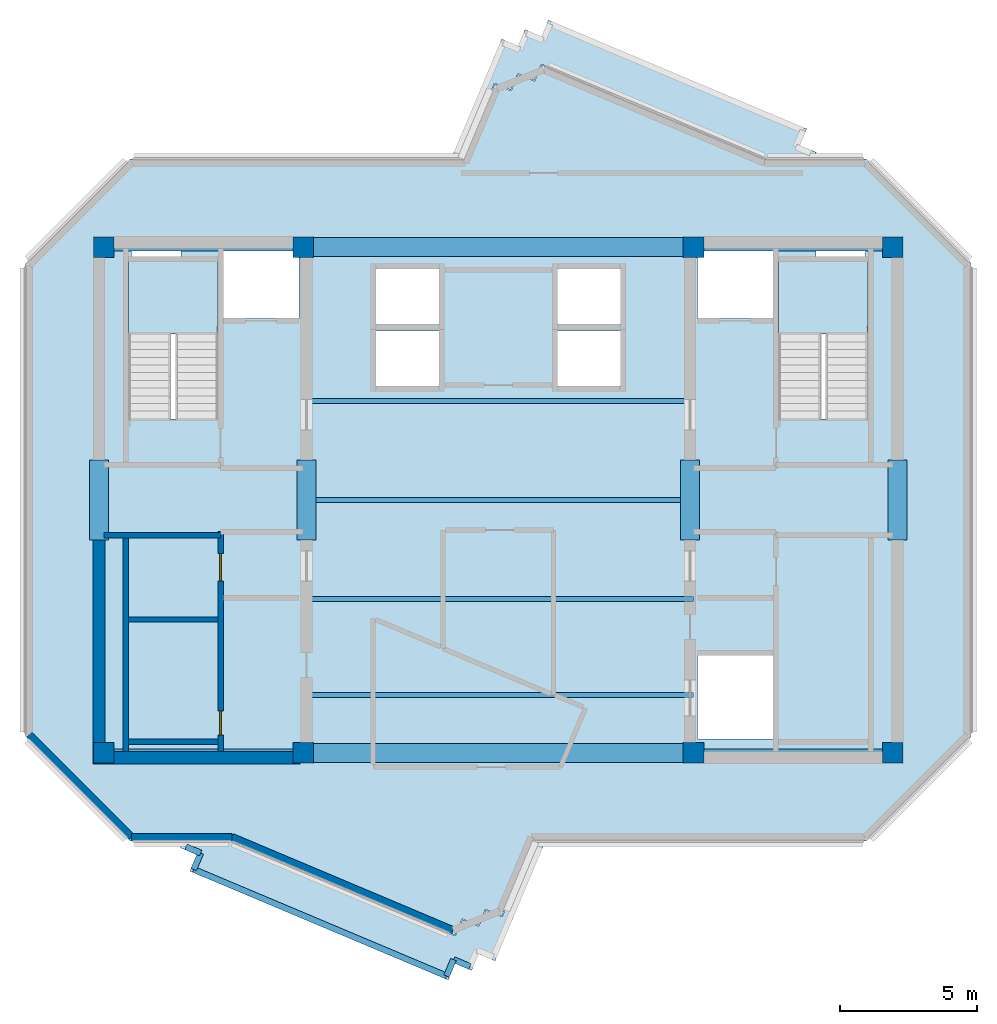
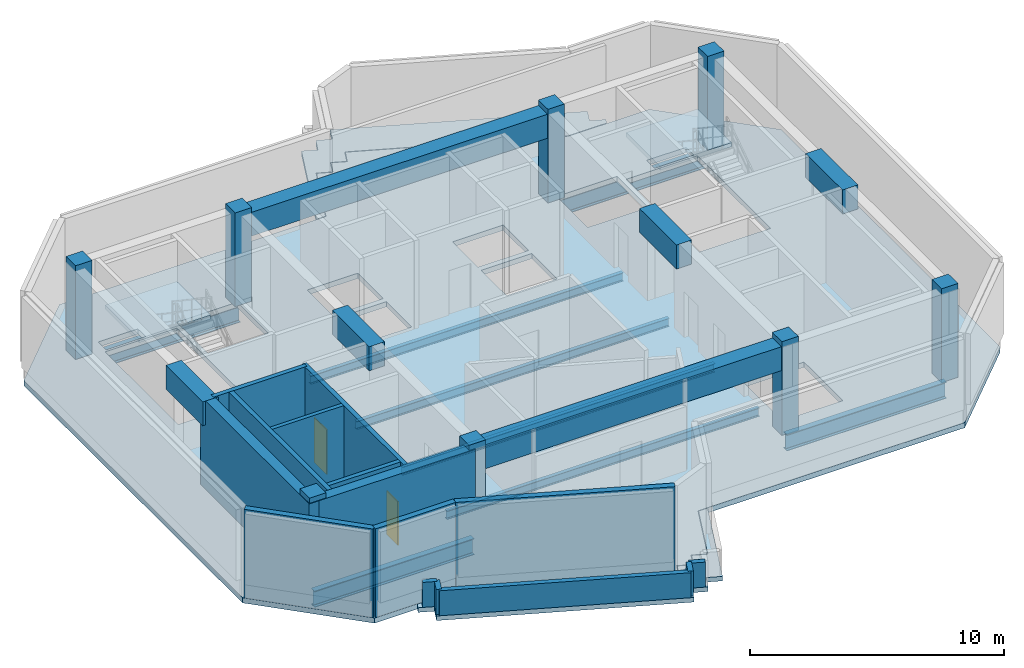
# One storey, part 1 of 6: 15 walls, 14 beams, 8 columns, 5 slabs, 2 doors, 2 openings, 2 elements without a shape of their own.
"""IFC4 building model written with IfcOpenShell, lengths in metres."""

from ifc_helpers import new_model, si_unit, direction, frame, frame_2d, origin, origin_2d, place, context, subcontext, project, spatial, polyline, rectangle, i_section, outline, extrude, source, transform, mapped, material, layer, layer_set, material_profile, profile_set, type_object, element, fill, aggregate, save


model = new_model("IFC4")

# Units and contexts
model_context = context("Model", 3, precision=1e-05, world=origin(), true_north=direction((0.0, 1.0)))
body_context = subcontext(model_context, "Body", "Model", "MODEL_VIEW")
ifc_project = project(units=[si_unit("LENGTHUNIT", "METRE"), si_unit("AREAUNIT", "SQUARE_METRE"), si_unit("VOLUMEUNIT", "CUBIC_METRE"), si_unit("PLANEANGLEUNIT", "RADIAN"), si_unit("MASSUNIT", "GRAM", prefix="KILO")], contexts=[model_context])

# Site, building, storey
site_placement = place(None, origin())
site = spatial("IfcSite", under=ifc_project, at=site_placement, CompositionType="ELEMENT")
building_placement = place(site_placement, origin())
building = spatial("IfcBuilding", under=site, at=building_placement, Name="Zahravan Cultural Tower", CompositionType="ELEMENT")
storey_placement = place(building_placement, frame((0.0, 0.0, 370.64990234375)))
storey = spatial("IfcBuildingStorey", under=building, at=storey_placement, Name="L90", CompositionType="ELEMENT", Elevation=370.64990234375)

# Columns
ifc_material_1 = material(Name="Concrete C45/55", Category="concrete")
ifc_material_profile_1 = material_profile(ifc_material_1, rectangle(XDim=0.75, YDim=0.75, at=origin_2d()), Name="RC750X750")
ifc_profile_set_1 = profile_set([ifc_material_profile_1], Name="Concrete C45/55")
column_type = type_object("IfcColumnType", Name="COL-RC750", PredefinedType="COLUMN", material=ifc_profile_set_1)
shared_shape_1 = source(origin(), body_context, "Body", "SweptSolid", [
    extrude(rectangle(XDim=0.75, YDim=0.75, at=origin_2d()), origin(), (0.0, 0.0, 1.0), 4.5),
])
for number, where, z_axis, x_axis, name in (
    (1, (21.64990234375, 17.800048828125, 0.0), (0.0, 0.0, 1.0), (1.0, 0.0, 0.0), "L90 Column CC-W1"),
    (2, (28.89990234375, 17.800048828125, 0.0), (0.0, 0.0, 1.0), (1.0, 0.0, 0.0), "L90 Column CC-W2"),
    (3, (21.64990234375, 36.199951171875, 0.0), (0.0, 0.0, 1.0), (1.0, 0.0, 0.0), "L90 Column CC-W3"),
    (4, (28.89990234375, 36.199951171875, 0.0), (0.0, 0.0, 1.0), (1.0, 0.0, 0.0), "L90 Column CC-W4"),
    (5, (43.10009765625, 17.800048828125, 0.0), (0.0, 0.0, 1.0), (1.0, 0.0, 0.0), "L90 Column CC-E1"),
    (6, (50.35009765625, 17.800048828125, 0.0), (0.0, 0.0, 1.0), (1.0, 0.0, 0.0), "L90 Column CC-E2"),
    (7, (43.10009765625, 36.199951171875, 0.0), (0.0, 0.0, 1.0), (1.0, 0.0, 0.0), "L90 Column CC-E3"),
    (8, (50.35009765625, 36.199951171875, 0.0), (0.0, 0.0, 1.0), (1.0, 0.0, 0.0), "L90 Column CC-E4"),
):
    element("IfcColumn", number, at=place(storey_placement, frame(where, z_axis=z_axis, x_axis=x_axis)), inside=storey, type_object=column_type, Name=name, PredefinedType="COLUMN", context=body_context, shape_type="MappedRepresentation", body=[
        mapped(shared_shape_1, transform((0.0, 0.0, 0.0), x_axis=(1.0, 0.0, 0.0), y_axis=(0.0, 1.0, 0.0), z_axis=(0.0, 0.0, 1.0), scale=1.0)),
    ])

# Beams
ifc_material_2 = material(Name="Concrete C50/60", Category="concrete")
ifc_material_profile_2 = material_profile(ifc_material_2, rectangle(XDim=0.699951171875, YDim=1.14990234375, at=origin_2d()), Name="RC700X1150")
ifc_profile_set_2 = profile_set([ifc_material_profile_2], Name="Concrete C50/60")
beam_type_1 = type_object("IfcBeamType", Name="BM-LN-RC700X1150", PredefinedType="LINTEL", material=ifc_profile_set_2)
shared_shape_2 = source(origin(), body_context, "Body", "SweptSolid", [
    extrude(rectangle(XDim=0.699951171875, YDim=1.14990234375, at=origin_2d()), origin(), (0.0, 0.0, 1.0), 14.2001953125),
])
for number, where, z_axis, x_axis, name in (
    (9, (28.89990234375, 17.800048828125, 3.675048828125), (1.0, 0.0, 0.0), (0.0, 1.0, 0.0), "L90 Beam LN-L90-S"),
    (10, (28.89990234375, 36.199951171875, 3.675048828125), (1.0, 0.0, 0.0), (0.0, 1.0, 0.0), "L90 Beam LN-L90-N"),
):
    element("IfcBeam", number, at=place(storey_placement, frame(where, z_axis=z_axis, x_axis=x_axis)), inside=storey, type_object=beam_type_1, Name=name, PredefinedType="LINTEL", context=body_context, shape_type="MappedRepresentation", body=[
        mapped(shared_shape_2, transform((0.0, 0.0, 0.0), x_axis=(1.0, 0.0, 0.0), y_axis=(0.0, 1.0, 0.0), z_axis=(0.0, 0.0, 1.0), scale=1.0)),
    ])
shared_shape_3 = source(origin(), body_context, "Body", "SweptSolid", [
    extrude(rectangle(XDim=0.699951171875, YDim=1.14990234375, at=origin_2d()), origin(), (0.0, 0.0, 1.0), 2.89990234375),
])
for number, where, z_axis, x_axis, name in (
    (11, (21.47509765625, 25.550048828125, 3.675048828125), (0.0, 1.0, 0.0), (-1.0, 0.0, 0.0), "L90 Beam LN-L90-PWW"),
    (12, (29.02490234375, 25.550048828125, 3.675048828125), (0.0, 1.0, 0.0), (-1.0, 0.0, 0.0), "L90 Beam LN-L90-PWE"),
    (13, (42.97509765625, 25.550048828125, 3.675048828125), (0.0, 1.0, 0.0), (-1.0, 0.0, 0.0), "L90 Beam LN-L90-PEW"),
    (14, (50.52490234375, 25.550048828125, 3.675048828125), (0.0, 1.0, 0.0), (-1.0, 0.0, 0.0), "L90 Beam LN-L90-PEE"),
):
    element("IfcBeam", number, at=place(storey_placement, frame(where, z_axis=z_axis, x_axis=x_axis)), inside=storey, type_object=beam_type_1, Name=name, PredefinedType="LINTEL", context=body_context, shape_type="MappedRepresentation", body=[
        mapped(shared_shape_3, transform((0.0, 0.0, 0.0), x_axis=(1.0, 0.0, 0.0), y_axis=(0.0, 1.0, 0.0), z_axis=(0.0, 0.0, 1.0), scale=1.0)),
    ])
ifc_material_3 = material(Name="Steel ASTM A992 Grade 50", Category="steel")
ifc_material_profile_3 = material_profile(ifc_material_3, i_section(OverallWidth=0.26611328125, OverallDepth=0.780029296875, WebThickness=0.0166015625, FlangeThickness=0.030029296875, FilletRadius=0.01904296875, at=origin_2d()), Name="W30X148")
ifc_profile_set_3 = profile_set([ifc_material_profile_3], Name="Steel ASTM A992 Grade 50")
beam_type_2 = type_object("IfcBeamType", Name="BM-G-W30X148", PredefinedType="BEAM", material=ifc_profile_set_3)
shared_shape_4 = source(origin(), body_context, "Body", "SweptSolid", [
    extrude(i_section(OverallWidth=0.26611328125, OverallDepth=0.780029296875, WebThickness=0.0166015625, FlangeThickness=0.030029296875, FilletRadius=0.01904296875, at=origin_2d()), origin(), (0.0, 0.0, 1.0), 7.25),
])
for number, where, z_axis, x_axis, name in (
    (15, (21.64990234375, 17.800048828125, -0.639892578125), (1.0, 0.0, 0.0), (0.0, 1.0, 0.0), "L90 Beam BG-L90-01"),
    (16, (21.64990234375, 36.199951171875, -0.639892578125), (1.0, 0.0, 0.0), (0.0, 1.0, 0.0), "L90 Beam BG-L90-02"),
    (17, (43.10009765625, 17.800048828125, -0.639892578125), (1.0, 0.0, 0.0), (0.0, 1.0, 0.0), "L90 Beam BG-L90-04"),
    (18, (43.10009765625, 36.199951171875, -0.639892578125), (1.0, 0.0, 0.0), (0.0, 1.0, 0.0), "L90 Beam BG-L90-05"),
):
    element("IfcBeam", number, at=place(storey_placement, frame(where, z_axis=z_axis, x_axis=x_axis)), inside=storey, type_object=beam_type_2, Name=name, PredefinedType="BEAM", context=body_context, shape_type="MappedRepresentation", body=[
        mapped(shared_shape_4, transform((0.0, 0.0, 0.0), x_axis=(1.0, 0.0, 0.0), y_axis=(0.0, 1.0, 0.0), z_axis=(0.0, 0.0, 1.0), scale=1.0)),
    ])
ifc_material_profile_4 = material_profile(ifc_material_3, i_section(OverallWidth=0.177978515625, OverallDepth=0.406005859375, WebThickness=0.0078125, FlangeThickness=0.0126953125, FilletRadius=0.011962890625, at=origin_2d()), Name="W16X40")
ifc_profile_set_4 = profile_set([ifc_material_profile_4], Name="Steel ASTM A992 Grade 50")
beam_type_3 = type_object("IfcBeamType", Name="BM-J-W16X40", PredefinedType="JOIST", material=ifc_profile_set_4)
shared_shape_5 = source(origin(), body_context, "Body", "SweptSolid", [
    extrude(i_section(OverallWidth=0.177978515625, OverallDepth=0.406005859375, WebThickness=0.0078125, FlangeThickness=0.0126953125, FilletRadius=0.011962890625, at=origin_2d()), origin(), (0.0, 0.0, 1.0), 14.2001953125),
])
for number, where, z_axis, x_axis, name in (
    (19, (28.89990234375, 19.89990234375, -0.452880859375), (1.0, 0.0, 0.0), (0.0, 1.0, 0.0), "L90 Beam BJ-L90-07"),
    (20, (28.89990234375, 23.39990234375, -0.452880859375), (1.0, 0.0, 0.0), (0.0, 1.0, 0.0), "L90 Beam BJ-L90-08"),
    (21, (28.89990234375, 27.0, -0.452880859375), (1.0, 0.0, 0.0), (0.0, 1.0, 0.0), "L90 Beam BJ-L90-09"),
    (22, (28.89990234375, 30.60009765625, -0.452880859375), (1.0, 0.0, 0.0), (0.0, 1.0, 0.0), "L90 Beam BJ-L90-10"),
):
    element("IfcBeam", number, at=place(storey_placement, frame(where, z_axis=z_axis, x_axis=x_axis)), inside=storey, type_object=beam_type_3, Name=name, PredefinedType="JOIST", context=body_context, shape_type="MappedRepresentation", body=[
        mapped(shared_shape_5, transform((0.0, 0.0, 0.0), x_axis=(1.0, 0.0, 0.0), y_axis=(0.0, 1.0, 0.0), z_axis=(0.0, 0.0, 1.0), scale=1.0)),
    ])

# Slabs
ifc_material_4 = material(Name="Precast concrete C40/50", Category="concrete")
ifc_layer_1 = layer(ifc_material_4, 0.219970703125)
ifc_layer_set_1 = layer_set([ifc_layer_1], Name="Precast concrete C40/50")
slab_type_1 = type_object("IfcSlabType", Name="SL-ROOF-220", PredefinedType="ROOF", material=ifc_layer_set_1)
slab_1_placement = place(storey_placement, frame((0.0, 0.0, -0.219970703125)))
element("IfcSlab", 23, at=slab_1_placement, inside=storey, type_object=slab_type_1, Name="L90 Setback Roof Slab 1", PredefinedType="ROOF", context=body_context, shape_type="SweptSolid", body=[
    extrude(outline(polyline([(35.27978515625, 10.4833984375), (35.87890625, 10.231201171875), (37.71142578125, 14.580078125), (37.299072265625, 14.580078125), (36.1455078125, 11.8466796875), (36.123779296875, 11.842529296875), (35.543212890625, 12.087158203125), (35.292724609375, 11.498779296875), (35.272216796875, 11.495849609375), (34.69189453125, 11.740478515625), (34.447021484375, 11.159912109375), (34.4287109375, 11.147705078125), (26.279541015625, 14.580078125), (24.52685546875, 14.580078125), (24.429931640625, 14.35009765625), (25.02880859375, 14.097900390625), (24.7763671875, 13.498779296875), (34.176025390625, 9.5380859375), (34.428466796875, 10.136962890625), (35.02734375, 9.884521484375), (35.27978515625, 10.4833984375)])), origin(), (0.0, 0.0, 1.0), 0.219970703125),
])
slab_2_placement = place(storey_placement, frame((0.0, 0.0, -0.219970703125)))
element("IfcSlab", 24, at=slab_2_placement, inside=storey, type_object=slab_type_1, Name="L90 Setback Roof Slab 2", PredefinedType="ROOF", context=body_context, shape_type="SweptSolid", body=[
    extrude(outline(polyline([(36.72021484375, 43.5166015625), (36.12109375, 43.768798828125), (34.28857421875, 39.419921875), (34.700927734375, 39.419921875), (35.8544921875, 42.1533203125), (35.876220703125, 42.157470703125), (36.456787109375, 41.912841796875), (36.707275390625, 42.501220703125), (36.727783203125, 42.504150390625), (37.30810546875, 42.259521484375), (37.552978515625, 42.840087890625), (37.5712890625, 42.852294921875), (45.720458984375, 39.419921875), (47.47314453125, 39.419921875), (47.570068359375, 39.64990234375), (46.97119140625, 39.902099609375), (47.2236328125, 40.501220703125), (37.823974609375, 44.4619140625), (37.571533203125, 43.863037109375), (36.97265625, 44.115478515625), (36.72021484375, 43.5166015625)])), origin(), (0.0, 0.0, 1.0), 0.219970703125),
])

# Stair, slab
stair_type = type_object("IfcStairType", Name="STR-DL-1550-450", PredefinedType="HALF_TURN_STAIR", material=ifc_material_1)
stair_1_placement = place(storey_placement, origin())
stair_1 = element("IfcStair", 25, at=stair_1_placement, inside=storey, type_object=stair_type, Name="L90 West Core North Exit Stair ST-W1", PredefinedType="HALF_TURN_STAIR")
ifc_layer_2 = layer(ifc_material_1, 0.199951171875)
ifc_layer_set_2 = layer_set([ifc_layer_2], Name="Concrete C45/55")
slab_type_2 = type_object("IfcSlabType", Name="SL-STAIR-LND200", PredefinedType="LANDING", material=ifc_layer_set_2)
slab_3_placement = place(storey_placement, frame((0.0, 0.0, 2.050048828125)))
slab_3 = element("IfcSlab", 26, at=slab_3_placement, type_object=slab_type_2, Name="ST-W1 landing 1", PredefinedType="LANDING", context=body_context, shape_type="SweptSolid", body=[
    extrude(outline(polyline([(25.800048828125, 33.030029296875), (25.800048828125, 35.699951171875), (22.550048828125, 35.699951171875), (22.550048828125, 33.030029296875), (25.800048828125, 33.030029296875)])), origin(), (0.0, 0.0, 1.0), 0.199951171875),
])
aggregate(stair_1, [slab_3])

stair_2_placement = place(storey_placement, origin())
stair_2 = element("IfcStair", 27, at=stair_2_placement, inside=storey, type_object=stair_type, Name="L90 East Core North Exit Stair ST-E1", PredefinedType="HALF_TURN_STAIR")
slab_4_placement = place(storey_placement, frame((0.0, 0.0, 2.050048828125)))
slab_4 = element("IfcSlab", 28, at=slab_4_placement, type_object=slab_type_2, Name="ST-E1 landing 1", PredefinedType="LANDING", context=body_context, shape_type="SweptSolid", body=[
    extrude(outline(polyline([(49.449951171875, 33.030029296875), (49.449951171875, 35.699951171875), (46.199951171875, 35.699951171875), (46.199951171875, 33.030029296875), (49.449951171875, 33.030029296875)])), origin(), (0.0, 0.0, 1.0), 0.199951171875),
])
aggregate(stair_2, [slab_4])

# Slab
ifc_material_5 = material(Name="Concrete C40/50", Category="concrete")
ifc_layer_3 = layer(ifc_material_5, 0.25)
ifc_layer_set_3 = layer_set([ifc_layer_3], Name="Concrete C40/50")
slab_type_3 = type_object("IfcSlabType", Name="SL-TYP-250", PredefinedType="FLOOR", material=ifc_layer_set_3)
slab_5_placement = place(storey_placement, frame((0.0, 0.0, -0.25)))
element("IfcSlab", 29, at=slab_5_placement, inside=storey, type_object=slab_type_3, Name="L90 Structural Floor Slab", PredefinedType="FLOOR", context=body_context, shape_type="SweptSolid", body=[
    extrude(outline(polyline([(34.71435546875, 39.39990234375), (22.60009765625, 39.39990234375), (18.800048828125, 35.60009765625), (18.800048828125, 18.39990234375), (22.60009765625, 14.60009765625), (26.283447265625, 14.60009765625), (34.4287109375, 11.167724609375), (34.68115234375, 11.7666015625), (35.280029296875, 11.514404296875), (35.532470703125, 12.11328125), (36.131591796875, 11.86083984375), (37.28564453125, 14.60009765625), (49.39990234375, 14.60009765625), (53.199951171875, 18.39990234375), (53.199951171875, 35.60009765625), (49.39990234375, 39.39990234375), (45.716552734375, 39.39990234375), (37.5712890625, 42.832275390625), (37.31884765625, 42.2333984375), (36.719970703125, 42.485595703125), (36.467529296875, 41.88671875), (35.868408203125, 42.13916015625), (34.71435546875, 39.39990234375)]), holes=[polyline([(22.550048828125, 29.949951171875), (22.550048828125, 35.699951171875), (25.800048828125, 35.699951171875), (25.800048828125, 29.949951171875), (22.550048828125, 29.949951171875)]), polyline([(46.199951171875, 29.949951171875), (46.199951171875, 35.699951171875), (49.449951171875, 35.699951171875), (49.449951171875, 29.949951171875), (46.199951171875, 29.949951171875)]), polyline([(26.0, 33.60009765625), (26.0, 36.050048828125), (28.75, 36.050048828125), (28.75, 33.60009765625), (26.0, 33.60009765625)]), polyline([(43.25, 33.60009765625), (43.25, 36.050048828125), (46.0, 36.050048828125), (46.0, 33.60009765625), (43.25, 33.60009765625)]), polyline([(43.25, 18.300048828125), (43.25, 21.35009765625), (46.0, 21.35009765625), (46.0, 18.300048828125), (43.25, 18.300048828125)]), polyline([(31.550048828125, 33.39990234375), (31.550048828125, 35.39990234375), (33.85009765625, 35.39990234375), (33.85009765625, 33.39990234375), (31.550048828125, 33.39990234375)]), polyline([(31.550048828125, 31.14990234375), (31.550048828125, 33.14990234375), (33.85009765625, 33.14990234375), (33.85009765625, 31.14990234375), (31.550048828125, 31.14990234375)]), polyline([(38.14990234375, 33.39990234375), (38.14990234375, 35.39990234375), (40.449951171875, 35.39990234375), (40.449951171875, 33.39990234375), (38.14990234375, 33.39990234375)]), polyline([(38.14990234375, 31.14990234375), (38.14990234375, 33.14990234375), (40.449951171875, 33.14990234375), (40.449951171875, 31.14990234375), (38.14990234375, 31.14990234375)]), polyline([(22.64990234375, 35.800048828125), (22.64990234375, 36.419921875), (24.449951171875, 36.419921875), (24.449951171875, 35.800048828125), (22.64990234375, 35.800048828125)]), polyline([(47.550048828125, 35.800048828125), (47.550048828125, 36.419921875), (49.35009765625, 36.419921875), (49.35009765625, 35.800048828125), (47.550048828125, 35.800048828125)])]), origin(), (0.0, 0.0, 1.0), 0.25),
])

# Wall, openings, doors
ifc_layer_4 = layer(ifc_material_1, 0.199951171875)
ifc_layer_set_4 = layer_set([ifc_layer_4], Name="Concrete C45/55")
wall_type_1 = type_object("IfcWallType", Name="W-SHAFT-200", PredefinedType="SOLIDWALL", material=ifc_layer_set_4)
wall_1_placement = place(storey_placement, frame((25.89990234375, 17.85009765625, 0.0), z_axis=(0.0, 0.0, 1.0), x_axis=(0.0, 1.0, 0.0)))
wall_1 = element("IfcWall", 30, at=wall_1_placement, inside=storey, type_object=wall_type_1, Name="L90 Interior Wall 005", PredefinedType="SOLIDWALL", context=body_context, shape_type="SweptSolid", body=[
    extrude(rectangle(XDim=8.0, YDim=0.199951171875, at=frame_2d((4.0, 0.0))), origin(), (0.0, 0.0, 1.0), 4.25),
])
opening_1_placement = place(wall_1_placement, frame((6.199951171875, 0.0, 0.0)))
opening_1 = element("IfcOpeningElement", 31, at=opening_1_placement, cuts=wall_1, Name="Opening D-L90-04", PredefinedType="OPENING", context=body_context, shape_type="SweptSolid", body=[
    extrude(rectangle(XDim=1.0, YDim=2.14990234375, at=frame_2d((0.5, 1.074951171875))), frame((0.0, 0.10986328125, 0.0), z_axis=(0.0, -1.0, 0.0), x_axis=(1.0, 0.0, 0.0)), (0.0, 0.0, 1.0), 0.219970703125),
])
opening_2_placement = place(wall_1_placement, frame((0.60009765625, 0.0, 0.0)))
opening_2 = element("IfcOpeningElement", 32, at=opening_2_placement, cuts=wall_1, Name="Opening D-L90-05", PredefinedType="OPENING", context=body_context, shape_type="SweptSolid", body=[
    extrude(rectangle(XDim=0.8798828125, YDim=2.10009765625, at=frame_2d((0.43994140625, 1.050048828125))), frame((0.0, 0.10986328125, 0.0), z_axis=(0.0, -1.0, 0.0), x_axis=(1.0, 0.0, 0.0)), (0.0, 0.0, 1.0), 0.219970703125),
])
ifc_material_6 = material(Name="Steel ASTM A572 Grade 50", Category="steel")
door_type_1 = type_object("IfcDoorType", Name="DR-SVC-880", OperationType="NOTDEFINED", PredefinedType="DOOR", material=ifc_material_6)
shared_shape_6 = source(origin(), body_context, "Body", "SweptSolid", [
    extrude(rectangle(XDim=0.8798828125, YDim=2.10009765625, at=frame_2d((0.43994140625, 1.050048828125))), frame((0.0, 0.02490234375, 0.0), z_axis=(0.0, -1.0, 0.0), x_axis=(1.0, 0.0, 0.0)), (0.0, 0.0, 1.0), 0.050048828125),
])
door_1_placement = place(opening_2_placement, origin())
door_1 = element("IfcDoor", 33, at=door_1_placement, inside=storey, type_object=door_type_1, Name="L90 Door D-L90-05", OperationType="SINGLE_SWING_LEFT", OverallHeight=2.10009765625, OverallWidth=0.8798828125, PredefinedType="DOOR", context=body_context, shape_type="MappedRepresentation", body=[
    mapped(shared_shape_6, transform((0.0, 0.0, 0.0), x_axis=(1.0, 0.0, 0.0), y_axis=(0.0, 1.0, 0.0), z_axis=(0.0, 0.0, 1.0), scale=1.0)),
])
fill(opening_2, door_1)
door_type_2 = type_object("IfcDoorType", Name="DR-COMP-1000", OperationType="NOTDEFINED", PredefinedType="DOOR", material=ifc_material_6)
shared_shape_7 = source(origin(), body_context, "Body", "SweptSolid", [
    extrude(rectangle(XDim=1.0, YDim=2.14990234375, at=frame_2d((0.5, 1.074951171875))), frame((0.0, 0.02490234375, 0.0), z_axis=(0.0, -1.0, 0.0), x_axis=(1.0, 0.0, 0.0)), (0.0, 0.0, 1.0), 0.050048828125),
])
door_2_placement = place(opening_1_placement, origin())
door_2 = element("IfcDoor", 34, at=door_2_placement, inside=storey, type_object=door_type_2, Name="L90 Door D-L90-04", OperationType="SINGLE_SWING_RIGHT", OverallHeight=2.14990234375, OverallWidth=1.0, PredefinedType="DOOR", context=body_context, shape_type="MappedRepresentation", body=[
    mapped(shared_shape_7, transform((0.0, 0.0, 0.0), x_axis=(1.0, 0.0, 0.0), y_axis=(0.0, 1.0, 0.0), z_axis=(0.0, 0.0, 1.0), scale=1.0)),
])
fill(opening_1, door_2)

# Walls
ifc_layer_5 = layer(ifc_material_2, 0.449951171875)
ifc_layer_set_5 = layer_set([ifc_layer_5], Name="Concrete C50/60")
wall_type_2 = type_object("IfcWallType", Name="CW-SHEAR-450-C50", PredefinedType="SHEAR", material=ifc_layer_set_5)
shared_shape_8 = source(origin(), body_context, "Body", "SweptSolid", [
    extrude(rectangle(XDim=8.550048828125, YDim=0.449951171875, at=frame_2d((4.27490234375, 0.0))), origin(), (0.0, 0.0, 1.0), 4.25),
])
wall_2_placement = place(storey_placement, frame((21.47509765625, 17.39990234375, 0.0), z_axis=(0.0, 0.0, 1.0), x_axis=(0.0, 1.0, 0.0)))
element("IfcWall", 35, at=wall_2_placement, inside=storey, type_object=wall_type_2, Name="L90 Core Shear Wall CW-W-WS-L90", PredefinedType="SHEAR", context=body_context, shape_type="MappedRepresentation", body=[
    mapped(shared_shape_8, transform((0.0, 0.0, 0.0), x_axis=(1.0, 0.0, 0.0), y_axis=(0.0, 1.0, 0.0), z_axis=(0.0, 0.0, 1.0), scale=1.0)),
])
shared_shape_9 = source(origin(), body_context, "Body", "SweptSolid", [
    extrude(rectangle(XDim=7.10009765625, YDim=0.449951171875, at=frame_2d((3.550048828125, 0.0))), origin(), (0.0, 0.0, 1.0), 4.25),
])
wall_3_placement = place(storey_placement, frame((21.699951171875, 17.625, 0.0), z_axis=(0.0, 0.0, 1.0), x_axis=(1.0, 0.0, 0.0)))
element("IfcWall", 36, at=wall_3_placement, inside=storey, type_object=wall_type_2, Name="L90 Core Shear Wall CW-W-S-L90", PredefinedType="SHEAR", context=body_context, shape_type="MappedRepresentation", body=[
    mapped(shared_shape_9, transform((0.0, 0.0, 0.0), x_axis=(1.0, 0.0, 0.0), y_axis=(0.0, 1.0, 0.0), z_axis=(0.0, 0.0, 1.0), scale=1.0)),
])
ifc_layer_6 = layer(ifc_material_4, 0.219970703125)
ifc_layer_set_6 = layer_set([ifc_layer_6], Name="Precast concrete C40/50")
wall_type_3 = type_object("IfcWallType", Name="EW-PARAPET-220", PredefinedType="PARAPET", material=ifc_layer_set_6)
shared_shape_10 = source(origin(), body_context, "Body", "SweptSolid", [
    extrude(rectangle(XDim=0.650146484375, YDim=0.219970703125, at=frame_2d((0.3251953125, 0.0))), origin(), (0.0, 0.0, 1.0), 1.2001953125),
])
wall_4_placement = place(storey_placement, frame((24.92041015625, 13.557373046875, 0.0), z_axis=(0.0, 0.0, 1.0), x_axis=(0.388610857807, 0.921401975901, 0.0)))
element("IfcWall", 37, at=wall_4_placement, inside=storey, type_object=wall_type_3, Name="L90 Setback Roof Parapet 5", PredefinedType="PARAPET", context=body_context, shape_type="MappedRepresentation", body=[
    mapped(shared_shape_10, transform((0.0, 0.0, 0.0), x_axis=(1.0, 0.0, 0.0), y_axis=(0.0, 1.0, 0.0), z_axis=(0.0, 0.0, 1.0), scale=1.0)),
])
shared_shape_11 = source(origin(), body_context, "Body", "SweptSolid", [
    extrude(rectangle(XDim=0.64990234375, YDim=0.219970703125, at=frame_2d((0.324951171875, 0.0))), origin(), (0.0, 0.0, 1.0), 1.2001953125),
])
for number, where, z_axis, x_axis, name in (
    (38, (34.96875, 10.028564453125, 0.0), (0.0, 0.0, 1.0), (-0.921479736051, 0.388426435824, 0.0), "L90 Setback Roof Parapet 2"),
    (39, (34.369873046875, 10.281005859375, 0.0), (0.0, 0.0, 1.0), (-0.388426435824, -0.921479736051, 0.0), "L90 Setback Roof Parapet 3"),
):
    element("IfcWall", number, at=place(storey_placement, frame(where, z_axis=z_axis, x_axis=x_axis)), inside=storey, type_object=wall_type_3, Name=name, PredefinedType="PARAPET", context=body_context, shape_type="MappedRepresentation", body=[
        mapped(shared_shape_11, transform((0.0, 0.0, 0.0), x_axis=(1.0, 0.0, 0.0), y_axis=(0.0, 1.0, 0.0), z_axis=(0.0, 0.0, 1.0), scale=1.0)),
    ])
shared_shape_12 = source(origin(), body_context, "Body", "SweptSolid", [
    extrude(rectangle(XDim=9.980224609375, YDim=0.219970703125, at=frame_2d((4.990234375, 0.0))), origin(), (0.0, 0.0, 1.0), 1.2001953125),
])
wall_5_placement = place(storey_placement, frame((34.117431640625, 9.68212890625, 0.0), z_axis=(0.0, 0.0, 1.0), x_axis=(-0.921534500121, 0.388296491211, 0.0)))
element("IfcWall", 40, at=wall_5_placement, inside=storey, type_object=wall_type_3, Name="L90 Setback Roof Parapet 4", PredefinedType="PARAPET", context=body_context, shape_type="MappedRepresentation", body=[
    mapped(shared_shape_12, transform((0.0, 0.0, 0.0), x_axis=(1.0, 0.0, 0.0), y_axis=(0.0, 1.0, 0.0), z_axis=(0.0, 0.0, 1.0), scale=1.0)),
])
shared_shape_13 = source(origin(), body_context, "Body", "SweptSolid", [
    extrude(rectangle(XDim=0.57568359375, YDim=0.219970703125, at=frame_2d((0.287841796875, 0.0))), origin(), (0.0, 0.0, 1.0), 1.2001953125),
])
wall_6_placement = place(storey_placement, frame((25.173095703125, 14.156494140625, 0.0), z_axis=(0.0, 0.0, 1.0), x_axis=(-0.921627391381, 0.388075960936, 0.0)))
element("IfcWall", 41, at=wall_6_placement, inside=storey, type_object=wall_type_3, Name="L90 Setback Roof Parapet 6", PredefinedType="PARAPET", context=body_context, shape_type="MappedRepresentation", body=[
    mapped(shared_shape_13, transform((0.0, 0.0, 0.0), x_axis=(1.0, 0.0, 0.0), y_axis=(0.0, 1.0, 0.0), z_axis=(0.0, 0.0, 1.0), scale=1.0)),
])
ifc_layer_7 = layer(ifc_material_4, 0.260009765625)
ifc_layer_set_7 = layer_set([ifc_layer_7], Name="Precast concrete C40/50")
wall_type_4 = type_object("IfcWallType", Name="EW-CROWN-260", PredefinedType="SOLIDWALL", material=ifc_layer_set_7)
shared_shape_14 = source(origin(), body_context, "Body", "SweptSolid", [
    extrude(rectangle(XDim=8.72705078125, YDim=0.260009765625, at=frame_2d((4.363525390625, 0.0))), origin(), (0.0, 0.0, 1.0), 4.25),
])
wall_7_placement = place(storey_placement, frame((34.35400390625, 11.35107421875, 0.0), z_axis=(0.0, 0.0, 1.0), x_axis=(-0.921524227272, 0.38832087061, 0.0)))
element("IfcWall", 42, at=wall_7_placement, inside=storey, type_object=wall_type_4, Name="L90 Exterior Masonry Frame Wall 11", PredefinedType="SOLIDWALL", context=body_context, shape_type="MappedRepresentation", body=[
    mapped(shared_shape_14, transform((0.0, 0.0, 0.0), x_axis=(1.0, 0.0, 0.0), y_axis=(0.0, 1.0, 0.0), z_axis=(0.0, 0.0, 1.0), scale=1.0)),
])
shared_shape_15 = source(origin(), body_context, "Body", "SweptSolid", [
    extrude(rectangle(XDim=3.65380859375, YDim=0.260009765625, at=frame_2d((1.826904296875, 0.0))), origin(), (0.0, 0.0, 1.0), 4.25),
])
wall_8_placement = place(storey_placement, frame((26.311767578125, 14.739990234375, 0.0), z_axis=(0.0, 0.0, 1.0), x_axis=(-1.0, 0.0, 0.0)))
element("IfcWall", 43, at=wall_8_placement, inside=storey, type_object=wall_type_4, Name="L90 Exterior Masonry Frame Wall 12", PredefinedType="SOLIDWALL", context=body_context, shape_type="MappedRepresentation", body=[
    mapped(shared_shape_15, transform((0.0, 0.0, 0.0), x_axis=(1.0, 0.0, 0.0), y_axis=(0.0, 1.0, 0.0), z_axis=(0.0, 0.0, 1.0), scale=1.0)),
])
shared_shape_16 = source(origin(), body_context, "Body", "SweptSolid", [
    extrude(rectangle(XDim=5.258056640625, YDim=0.260009765625, at=frame_2d((2.62890625, 0.0))), origin(), (0.0, 0.0, 1.0), 4.25),
])
wall_9_placement = place(storey_placement, frame((22.657958984375, 14.739990234375, 0.0), z_axis=(0.0, 0.0, 1.0), x_axis=(-0.707106781187, 0.707106781187, 0.0)))
element("IfcWall", 44, at=wall_9_placement, inside=storey, type_object=wall_type_4, Name="L90 Exterior Masonry Frame Wall 13", PredefinedType="SOLIDWALL", context=body_context, shape_type="MappedRepresentation", body=[
    mapped(shared_shape_16, transform((0.0, 0.0, 0.0), x_axis=(1.0, 0.0, 0.0), y_axis=(0.0, 1.0, 0.0), z_axis=(0.0, 0.0, 1.0), scale=1.0)),
])
shared_shape_17 = source(origin(), body_context, "Body", "SweptSolid", [
    extrude(rectangle(XDim=7.869873046875, YDim=0.199951171875, at=frame_2d((3.93505859375, 0.0))), origin(), (0.0, 0.0, 1.0), 4.25),
])
wall_10_placement = place(storey_placement, frame((22.449951171875, 17.85009765625, 0.0), z_axis=(0.0, 0.0, 1.0), x_axis=(0.0, 1.0, 0.0)))
element("IfcWall", 45, at=wall_10_placement, inside=storey, type_object=wall_type_1, Name="L90 Interior Wall 001", PredefinedType="SOLIDWALL", context=body_context, shape_type="MappedRepresentation", body=[
    mapped(shared_shape_17, transform((0.0, 0.0, 0.0), x_axis=(1.0, 0.0, 0.0), y_axis=(0.0, 1.0, 0.0), z_axis=(0.0, 0.0, 1.0), scale=1.0)),
])
shared_shape_18 = source(origin(), body_context, "Body", "SweptSolid", [
    extrude(rectangle(XDim=4.25, YDim=0.199951171875, at=frame_2d((2.125, 0.0))), origin(), (0.0, 0.0, 1.0), 4.25),
])
wall_11_placement = place(storey_placement, frame((21.64990234375, 25.715087890625, 0.0), z_axis=(0.0, 0.0, 1.0), x_axis=(1.0, 0.0, 0.0)))
element("IfcWall", 46, at=wall_11_placement, inside=storey, type_object=wall_type_1, Name="L90 Interior Wall 009", PredefinedType="SOLIDWALL", context=body_context, shape_type="MappedRepresentation", body=[
    mapped(shared_shape_18, transform((0.0, 0.0, 0.0), x_axis=(1.0, 0.0, 0.0), y_axis=(0.0, 1.0, 0.0), z_axis=(0.0, 0.0, 1.0), scale=1.0)),
])
shared_shape_19 = source(origin(), body_context, "Body", "SweptSolid", [
    extrude(rectangle(XDim=3.25, YDim=0.199951171875, at=frame_2d((1.625, 0.0))), origin(), (0.0, 0.0, 1.0), 4.25),
])
wall_12_placement = place(storey_placement, frame((22.550048828125, 18.199951171875, 0.0), z_axis=(0.0, 0.0, 1.0), x_axis=(1.0, 0.0, 0.0)))
element("IfcWall", 47, at=wall_12_placement, inside=storey, type_object=wall_type_1, Name="L90 Interior Wall 019", PredefinedType="SOLIDWALL", context=body_context, shape_type="MappedRepresentation", body=[
    mapped(shared_shape_19, transform((0.0, 0.0, 0.0), x_axis=(1.0, 0.0, 0.0), y_axis=(0.0, 1.0, 0.0), z_axis=(0.0, 0.0, 1.0), scale=1.0)),
])
ifc_material_7 = material(Name="Gypsum plasterboard partition")
ifc_layer_8 = layer(ifc_material_7, 0.179931640625)
ifc_layer_set_8 = layer_set([ifc_layer_8], Name="Gypsum plasterboard partition")
wall_type_5 = type_object("IfcWallType", Name="W-COMP-180", PredefinedType="PARTITIONING", material=ifc_layer_set_8)
shared_shape_20 = source(origin(), body_context, "Body", "SweptSolid", [
    extrude(rectangle(XDim=3.25, YDim=0.179931640625, at=frame_2d((1.625, 0.0))), origin(), (0.0, 0.0, 1.0), 4.25),
])
wall_13_placement = place(storey_placement, frame((22.550048828125, 22.64990234375, 0.0), z_axis=(0.0, 0.0, 1.0), x_axis=(1.0, 0.0, 0.0)))
element("IfcWall", 48, at=wall_13_placement, inside=storey, type_object=wall_type_5, Name="L90 Interior Wall 021", PredefinedType="PARTITIONING", context=body_context, shape_type="MappedRepresentation", body=[
    mapped(shared_shape_20, transform((0.0, 0.0, 0.0), x_axis=(1.0, 0.0, 0.0), y_axis=(0.0, 1.0, 0.0), z_axis=(0.0, 0.0, 1.0), scale=1.0)),
])

save(model, "model.ifc")
